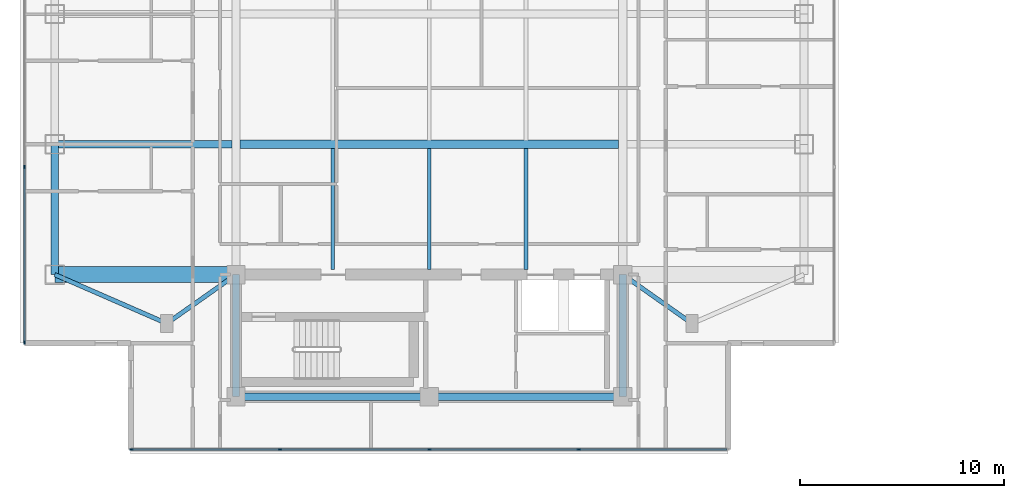
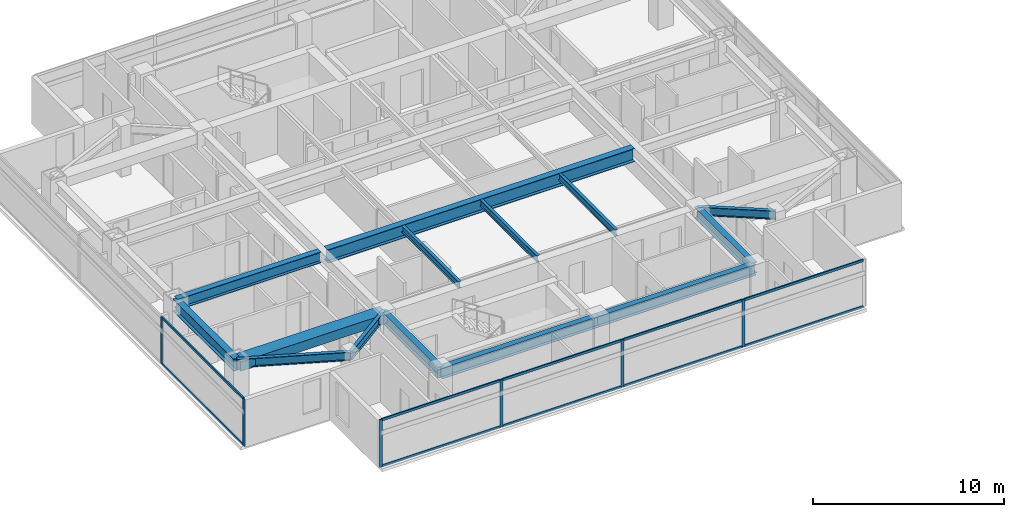
# One storey, part 2 of 24: 16 members, 14 beams, 2 elements without a shape of their own.
"""IFC4 building model written with IfcOpenShell, lengths in metres."""

from ifc_helpers import new_model, si_unit, direction, frame, origin, origin_2d, place, context, subcontext, project, spatial, rectangle, i_section, extrude, material, material_profile, profile_set, type_object, element, aggregate, save


model = new_model("IFC4")

# Units and contexts
model_context = context("Model", 3, precision=1e-05, world=origin(), true_north=direction((0.0, 1.0)))
body_context = subcontext(model_context, "Body", "Model", "MODEL_VIEW")
ifc_project = project(units=[si_unit("LENGTHUNIT", "METRE"), si_unit("AREAUNIT", "SQUARE_METRE"), si_unit("VOLUMEUNIT", "CUBIC_METRE"), si_unit("PLANEANGLEUNIT", "RADIAN"), si_unit("MASSUNIT", "GRAM", prefix="KILO")], contexts=[model_context])

# Site, building, storey
site_placement = place(None, origin())
site = spatial("IfcSite", under=ifc_project, at=site_placement, CompositionType="ELEMENT")
building_placement = place(site_placement, origin())
building = spatial("IfcBuilding", under=site, at=building_placement, Name="Mirazonda Arch Towers", CompositionType="ELEMENT")
storey_placement = place(building_placement, frame((0.0, 0.0, 190.14990234375)))
storey = spatial("IfcBuildingStorey", under=building, at=storey_placement, Name="L54", CompositionType="ELEMENT", Elevation=190.14990234375)

# Beams
ifc_material_1 = material(Name="Steel ASTM A992 Grade 50", Category="steel")
ifc_material_profile_1 = material_profile(ifc_material_1, i_section(OverallWidth=0.381103515625, OverallDepth=0.77294921875, WebThickness=0.0166015625, FlangeThickness=0.027099609375, at=origin_2d()), Name="W30X173")
ifc_profile_set_1 = profile_set([ifc_material_profile_1], Name="Steel ASTM A992 Grade 50")
beam_type_1 = type_object("IfcBeamType", Name="BM-EXT-W30X173", PredefinedType="USERDEFINED", material=ifc_profile_set_1)
beam_1_placement = place(storey_placement, frame((2.10009765625, 18.39990234375, 2.66357421875), z_axis=(0.0, 1.0, 0.0), x_axis=(-1.0, 0.0, 0.0)))
element("IfcBeam", 1, at=beam_1_placement, inside=storey, type_object=beam_type_1, Name="L54 Floor Beam BM-T1-L54-NS-W-18", ObjectType="GIRDER", PredefinedType="USERDEFINED", context=body_context, shape_type="SweptSolid", body=[
    extrude(i_section(OverallWidth=0.381103515625, OverallDepth=0.77294921875, WebThickness=0.0166015625, FlangeThickness=0.027099609375, at=origin_2d()), origin(), (0.0, 0.0, 1.0), 6.400146484375),
])
ifc_material_profile_2 = material_profile(ifc_material_1, i_section(OverallWidth=0.180908203125, OverallDepth=0.4169921875, WebThickness=0.010986328125, FlangeThickness=0.018310546875, at=origin_2d()), Name="W16X57")
ifc_profile_set_2 = profile_set([ifc_material_profile_2], Name="Steel ASTM A992 Grade 50")
beam_type_2 = type_object("IfcBeamType", Name="BM-INT-W16X57", PredefinedType="JOIST", material=ifc_profile_set_2)
for number, where, z_axis, x_axis, name in (
    (2, (15.75, 18.639892578125, 2.841552734375), (0.0, 1.0, 0.0), (-1.0, 0.0, 0.0), "L54 Floor Beam BM-T1-L54-J-157-18"),
    (3, (20.5, 18.639892578125, 2.841552734375), (0.0, 1.0, 0.0), (-1.0, 0.0, 0.0), "L54 Floor Beam BM-T1-L54-J-205-18"),
    (4, (25.25, 18.639892578125, 2.841552734375), (0.0, 1.0, 0.0), (-1.0, 0.0, 0.0), "L54 Floor Beam BM-T1-L54-J-252-18"),
):
    element("IfcBeam", number, at=place(storey_placement, frame(where, z_axis=z_axis, x_axis=x_axis)), inside=storey, type_object=beam_type_2, Name=name, PredefinedType="JOIST", context=body_context, shape_type="SweptSolid", body=[
        extrude(i_section(OverallWidth=0.180908203125, OverallDepth=0.4169921875, WebThickness=0.010986328125, FlangeThickness=0.018310546875, at=origin_2d()), origin(), (0.0, 0.0, 1.0), 5.964111328125),
    ])
ifc_material_profile_3 = material_profile(ifc_material_1, i_section(OverallWidth=0.214111328125, OverallDepth=0.549072265625, WebThickness=0.0146484375, FlangeThickness=0.023681640625, at=origin_2d()), Name="W21X93")
ifc_profile_set_3 = profile_set([ifc_material_profile_3], Name="Steel ASTM A992 Grade 50")
beam_type_3 = type_object("IfcBeamType", Name="BM-INT-W21X93", PredefinedType="BEAM", material=ifc_profile_set_3)
beam_2_placement = place(storey_placement, frame((7.60009765625, 16.0, 2.775634765625), z_axis=(0.816971114901, 0.576678591087, 0.0), x_axis=(-0.576678591087, 0.816971114901, 0.0)))
element("IfcBeam", 5, at=beam_2_placement, inside=storey, type_object=beam_type_3, Name="L54 Floor Beam BM-T1-L54-PL-SW1", PredefinedType="BEAM", context=body_context, shape_type="SweptSolid", body=[
    extrude(i_section(OverallWidth=0.214111328125, OverallDepth=0.549072265625, WebThickness=0.0146484375, FlangeThickness=0.023681640625, at=origin_2d()), origin(), (0.0, 0.0, 1.0), 4.16162109375),
])
beam_3_placement = place(storey_placement, frame((7.60009765625, 16.0, 2.775634765625), z_axis=(-0.916545343703, 0.399930785183, 0.0), x_axis=(-0.399930785183, -0.916545343703, 0.0)))
element("IfcBeam", 6, at=beam_3_placement, inside=storey, type_object=beam_type_3, Name="L54 Floor Beam BM-T1-L54-PL-SW2", PredefinedType="BEAM", context=body_context, shape_type="SweptSolid", body=[
    extrude(i_section(OverallWidth=0.214111328125, OverallDepth=0.549072265625, WebThickness=0.0146484375, FlangeThickness=0.023681640625, at=origin_2d()), origin(), (0.0, 0.0, 1.0), 6.000732421875),
])
beam_4_placement = place(storey_placement, frame((33.39990234375, 16.0, 2.775634765625), z_axis=(-0.816971114901, 0.576678591087, 0.0), x_axis=(-0.576678591087, -0.816971114901, 0.0)))
element("IfcBeam", 7, at=beam_4_placement, inside=storey, type_object=beam_type_3, Name="L54 Floor Beam BM-T1-L54-PL-SE1", PredefinedType="BEAM", context=body_context, shape_type="SweptSolid", body=[
    extrude(i_section(OverallWidth=0.214111328125, OverallDepth=0.549072265625, WebThickness=0.0146484375, FlangeThickness=0.023681640625, at=origin_2d()), origin(), (0.0, 0.0, 1.0), 4.16162109375),
])
ifc_material_profile_4 = material_profile(ifc_material_1, i_section(OverallWidth=0.35498046875, OverallDepth=0.696044921875, WebThickness=0.015380859375, FlangeThickness=0.02490234375, at=origin_2d()), Name="W27X146")
ifc_profile_set_4 = profile_set([ifc_material_profile_4], Name="Steel ASTM A992 Grade 50")
beam_type_4 = type_object("IfcBeamType", Name="BM-INT-W27X146", PredefinedType="BEAM", material=ifc_profile_set_4)
beam_5_placement = place(storey_placement, frame((2.10009765625, 24.800048828125, 2.7021484375), z_axis=(1.0, 0.0, 0.0), x_axis=(0.0, 1.0, 0.0)))
element("IfcBeam", 8, at=beam_5_placement, inside=storey, type_object=beam_type_4, Name="L54 Floor Beam BM-T1-L54-GW2", PredefinedType="BEAM", context=body_context, shape_type="SweptSolid", body=[
    extrude(i_section(OverallWidth=0.35498046875, OverallDepth=0.696044921875, WebThickness=0.015380859375, FlangeThickness=0.02490234375, at=origin_2d()), origin(), (0.0, 0.0, 1.0), 8.699951171875),
])
for number, where, z_axis, x_axis, name in (
    (9, (11.0, 12.39990234375, 2.7021484375), (1.0, 0.0, 0.0), (0.0, 1.0, 0.0), "L54 Floor Beam BM-T1-L54-CS1"),
    (10, (20.5, 12.39990234375, 2.7021484375), (1.0, 0.0, 0.0), (0.0, 1.0, 0.0), "L54 Floor Beam BM-T1-L54-CS2"),
):
    element("IfcBeam", number, at=place(storey_placement, frame(where, z_axis=z_axis, x_axis=x_axis)), inside=storey, type_object=beam_type_4, Name=name, PredefinedType="BEAM", context=body_context, shape_type="SweptSolid", body=[
        extrude(i_section(OverallWidth=0.35498046875, OverallDepth=0.696044921875, WebThickness=0.015380859375, FlangeThickness=0.02490234375, at=origin_2d()), origin(), (0.0, 0.0, 1.0), 9.5),
    ])
for number, where, z_axis, x_axis, name in (
    (11, (11.0, 12.39990234375, 2.7021484375), (0.0, 1.0, 0.0), (-1.0, 0.0, 0.0), "L54 Floor Beam BM-T1-L54-CSW"),
    (12, (30.0, 12.39990234375, 2.7021484375), (0.0, 1.0, 0.0), (-1.0, 0.0, 0.0), "L54 Floor Beam BM-T1-L54-CSE"),
):
    element("IfcBeam", number, at=place(storey_placement, frame(where, z_axis=z_axis, x_axis=x_axis)), inside=storey, type_object=beam_type_4, Name=name, PredefinedType="BEAM", context=body_context, shape_type="SweptSolid", body=[
        extrude(i_section(OverallWidth=0.35498046875, OverallDepth=0.696044921875, WebThickness=0.015380859375, FlangeThickness=0.02490234375, at=origin_2d()), origin(), (0.0, 0.0, 1.0), 6.0),
    ])
ifc_material_profile_5 = material_profile(ifc_material_1, i_section(OverallWidth=0.39990234375, OverallDepth=0.85595703125, WebThickness=0.018310546875, FlangeThickness=0.029296875, at=origin_2d()), Name="W33X201")
ifc_profile_set_5 = profile_set([ifc_material_profile_5], Name="Steel ASTM A992 Grade 50")
beam_type_5 = type_object("IfcBeamType", Name="BM-INT-W33X201", PredefinedType="USERDEFINED", material=ifc_profile_set_5)
beam_6_placement = place(storey_placement, frame((11.199951171875, 24.800048828125, 2.6220703125), z_axis=(1.0, 0.0, 0.0), x_axis=(0.0, 1.0, 0.0)))
element("IfcBeam", 13, at=beam_6_placement, inside=storey, type_object=beam_type_5, Name="L54 Floor Beam BM-T1-L54-GC2", ObjectType="GIRDER", PredefinedType="USERDEFINED", context=body_context, shape_type="SweptSolid", body=[
    extrude(i_section(OverallWidth=0.39990234375, OverallDepth=0.85595703125, WebThickness=0.018310546875, FlangeThickness=0.029296875, at=origin_2d()), origin(), (0.0, 0.0, 1.0), 18.60009765625),
])
ifc_material_2 = material(Name="Concrete C60/75", Category="concrete")
ifc_material_profile_6 = material_profile(ifc_material_2, rectangle(XDim=0.800048828125, YDim=0.60009765625, at=origin_2d()), Name="RCCB800x600")
ifc_profile_set_6 = profile_set([ifc_material_profile_6], Name="Concrete C60/75")
beam_type_6 = type_object("IfcBeamType", Name="CB-INT-RCCB800x600", PredefinedType="SPANDREL", material=ifc_profile_set_6)
beam_7_placement = place(storey_placement, frame((2.10009765625, 18.39990234375, 2.75), z_axis=(1.0, 0.0, 0.0), x_axis=(0.0, 1.0, 0.0)))
element("IfcBeam", 14, at=beam_7_placement, inside=storey, type_object=beam_type_6, Name="L54 Floor Beam CBC-T1-L54-SW", PredefinedType="SPANDREL", context=body_context, shape_type="SweptSolid", body=[
    extrude(rectangle(XDim=0.800048828125, YDim=0.60009765625, at=origin_2d()), origin(), (0.0, 0.0, 1.0), 8.89990234375),
])

# Curtain wall, members
ifc_material_3 = material(Name="Anodised Aluminium and Low-E Glass", Category="aluminium")
curtain_wall_type = type_object("IfcCurtainWallType", Name="CW-RES-UNIT", PredefinedType="NOTDEFINED", material=ifc_material_3)
curtain_wall_1_placement = place(storey_placement, origin())
curtain_wall_1 = element("IfcCurtainWall", 15, at=curtain_wall_1_placement, inside=storey, type_object=curtain_wall_type, Name="L54 T1 S Facade CW-L54-T1-S", PredefinedType="NOTDEFINED")
ifc_material_4 = material(Name="Anodised Aluminium Alloy", Category="aluminium")
ifc_material_profile_7 = material_profile(ifc_material_4, rectangle(XDim=0.074951171875, YDim=0.175048828125, at=origin_2d()), Name="ALU-MULL-75x175")
ifc_profile_set_7 = profile_set([ifc_material_profile_7], Name="Anodised Aluminium Alloy")
member_type_1 = type_object("IfcMemberType", Name="MULL-CW-RES-UNIT", PredefinedType="MULLION", material=ifc_profile_set_7)
member_1_placement = place(storey_placement, frame((27.83740234375, 9.81396484375, 0.0), z_axis=(0.0, 0.0, 1.0), x_axis=(0.0, -1.0, 0.0)))
member_1 = element("IfcMember", 16, at=member_1_placement, type_object=member_type_1, Name="CW-104 mullion 2", PredefinedType="MULLION", context=body_context, shape_type="SweptSolid", body=[
    extrude(rectangle(XDim=0.074951171875, YDim=0.175048828125, at=origin_2d()), origin(), (0.0, 0.0, 1.0), 3.030029296875),
])
member_2_placement = place(storey_placement, frame((20.5, 9.81396484375, 0.0), z_axis=(0.0, 0.0, 1.0), x_axis=(0.0, -1.0, 0.0)))
member_2 = element("IfcMember", 17, at=member_2_placement, type_object=member_type_1, Name="CW-104 mullion 3", PredefinedType="MULLION", context=body_context, shape_type="SweptSolid", body=[
    extrude(rectangle(XDim=0.074951171875, YDim=0.175048828125, at=origin_2d()), origin(), (0.0, 0.0, 1.0), 3.030029296875),
])
member_3_placement = place(storey_placement, frame((13.16259765625, 9.81396484375, 0.0), z_axis=(0.0, 0.0, 1.0), x_axis=(0.0, -1.0, 0.0)))
member_3 = element("IfcMember", 18, at=member_3_placement, type_object=member_type_1, Name="CW-104 mullion 4", PredefinedType="MULLION", context=body_context, shape_type="SweptSolid", body=[
    extrude(rectangle(XDim=0.074951171875, YDim=0.175048828125, at=origin_2d()), origin(), (0.0, 0.0, 1.0), 3.030029296875),
])
member_4_placement = place(storey_placement, frame((5.862548828125, 9.81396484375, 0.0), z_axis=(0.0, 0.0, 1.0), x_axis=(0.0, -1.0, 0.0)))
member_4 = element("IfcMember", 19, at=member_4_placement, type_object=member_type_1, Name="CW-104 mullion 5", PredefinedType="MULLION", context=body_context, shape_type="SweptSolid", body=[
    extrude(rectangle(XDim=0.074951171875, YDim=0.175048828125, at=origin_2d()), origin(), (0.0, 0.0, 1.0), 3.030029296875),
])

curtain_wall_2_placement = place(storey_placement, origin())
curtain_wall_2 = element("IfcCurtainWall", 20, at=curtain_wall_2_placement, inside=storey, type_object=curtain_wall_type, Name="L54 T1 W Facade CW-L54-T1-W", PredefinedType="NOTDEFINED")
member_5_placement = place(storey_placement, frame((0.610107421875, 23.67626953125, 0.0), z_axis=(0.0, 0.0, 1.0), x_axis=(1.0, 0.0, 0.0)))
member_5 = element("IfcMember", 21, at=member_5_placement, type_object=member_type_1, Name="CW-104 mullion 3", PredefinedType="MULLION", context=body_context, shape_type="SweptSolid", body=[
    extrude(rectangle(XDim=0.074951171875, YDim=0.175048828125, at=origin_2d()), origin(), (0.0, 0.0, 1.0), 3.030029296875),
])
member_6_placement = place(storey_placement, frame((0.610107421875, 15.06640625, 0.0), z_axis=(0.0, 0.0, 1.0), x_axis=(1.0, 0.0, 0.0)))
member_6 = element("IfcMember", 22, at=member_6_placement, type_object=member_type_1, Name="CW-104 mullion 4", PredefinedType="MULLION", context=body_context, shape_type="SweptSolid", body=[
    extrude(rectangle(XDim=0.074951171875, YDim=0.175048828125, at=origin_2d()), origin(), (0.0, 0.0, 1.0), 3.030029296875),
])

# Member
ifc_material_profile_8 = material_profile(ifc_material_4, rectangle(XDim=0.074951171875, YDim=0.155029296875, at=origin_2d()), Name="ALU-TRAN-75x155")
ifc_profile_set_8 = profile_set([ifc_material_profile_8], Name="Anodised Aluminium Alloy")
member_type_2 = type_object("IfcMemberType", Name="TRAN-CW-RES-UNIT", PredefinedType="USERDEFINED", material=ifc_profile_set_8)
member_7_placement = place(storey_placement, frame((35.10009765625, 9.81396484375, 0.03759765625), z_axis=(-1.0, 0.0, 0.0), x_axis=(0.0, -1.0, 0.0)))
member_7 = element("IfcMember", 23, at=member_7_placement, type_object=member_type_2, Name="CW-104 transom 1.1", ObjectType="TRANSOM", PredefinedType="USERDEFINED", context=body_context, shape_type="SweptSolid", body=[
    extrude(rectangle(XDim=0.074951171875, YDim=0.155029296875, at=origin_2d()), origin(), (0.0, 0.0, 1.0), 7.22509765625),
])

member_8_placement = place(storey_placement, frame((35.10009765625, 9.81396484375, 2.99267578125), z_axis=(-1.0, 0.0, 0.0), x_axis=(0.0, -1.0, 0.0)))
member_8 = element("IfcMember", 24, at=member_8_placement, type_object=member_type_2, Name="CW-104 transom 1.2", ObjectType="TRANSOM", PredefinedType="USERDEFINED", context=body_context, shape_type="SweptSolid", body=[
    extrude(rectangle(XDim=0.074951171875, YDim=0.155029296875, at=origin_2d()), origin(), (0.0, 0.0, 1.0), 7.22509765625),
])

member_9_placement = place(storey_placement, frame((27.800048828125, 9.81396484375, 0.03759765625), z_axis=(-1.0, 0.0, 0.0), x_axis=(0.0, -1.0, 0.0)))
member_9 = element("IfcMember", 25, at=member_9_placement, type_object=member_type_2, Name="CW-104 transom 2.1", ObjectType="TRANSOM", PredefinedType="USERDEFINED", context=body_context, shape_type="SweptSolid", body=[
    extrude(rectangle(XDim=0.074951171875, YDim=0.155029296875, at=origin_2d()), origin(), (0.0, 0.0, 1.0), 7.262451171875),
])

member_10_placement = place(storey_placement, frame((27.800048828125, 9.81396484375, 2.99267578125), z_axis=(-1.0, 0.0, 0.0), x_axis=(0.0, -1.0, 0.0)))
member_10 = element("IfcMember", 26, at=member_10_placement, type_object=member_type_2, Name="CW-104 transom 2.2", ObjectType="TRANSOM", PredefinedType="USERDEFINED", context=body_context, shape_type="SweptSolid", body=[
    extrude(rectangle(XDim=0.074951171875, YDim=0.155029296875, at=origin_2d()), origin(), (0.0, 0.0, 1.0), 7.262451171875),
])

member_11_placement = place(storey_placement, frame((20.46240234375, 9.81396484375, 0.03759765625), z_axis=(-1.0, 0.0, 0.0), x_axis=(0.0, -1.0, 0.0)))
member_11 = element("IfcMember", 27, at=member_11_placement, type_object=member_type_2, Name="CW-104 transom 3.1", ObjectType="TRANSOM", PredefinedType="USERDEFINED", context=body_context, shape_type="SweptSolid", body=[
    extrude(rectangle(XDim=0.074951171875, YDim=0.155029296875, at=origin_2d()), origin(), (0.0, 0.0, 1.0), 7.262451171875),
])

member_12_placement = place(storey_placement, frame((20.46240234375, 9.81396484375, 2.99267578125), z_axis=(-1.0, 0.0, 0.0), x_axis=(0.0, -1.0, 0.0)))
member_12 = element("IfcMember", 28, at=member_12_placement, type_object=member_type_2, Name="CW-104 transom 3.2", ObjectType="TRANSOM", PredefinedType="USERDEFINED", context=body_context, shape_type="SweptSolid", body=[
    extrude(rectangle(XDim=0.074951171875, YDim=0.155029296875, at=origin_2d()), origin(), (0.0, 0.0, 1.0), 7.262451171875),
])

member_13_placement = place(storey_placement, frame((13.125, 9.81396484375, 0.03759765625), z_axis=(-1.0, 0.0, 0.0), x_axis=(0.0, -1.0, 0.0)))
member_13 = element("IfcMember", 29, at=member_13_placement, type_object=member_type_2, Name="CW-104 transom 4.1", ObjectType="TRANSOM", PredefinedType="USERDEFINED", context=body_context, shape_type="SweptSolid", body=[
    extrude(rectangle(XDim=0.074951171875, YDim=0.155029296875, at=origin_2d()), origin(), (0.0, 0.0, 1.0), 7.22509765625),
])

member_14_placement = place(storey_placement, frame((13.125, 9.81396484375, 2.99267578125), z_axis=(-1.0, 0.0, 0.0), x_axis=(0.0, -1.0, 0.0)))
member_14 = element("IfcMember", 30, at=member_14_placement, type_object=member_type_2, Name="CW-104 transom 4.2", ObjectType="TRANSOM", PredefinedType="USERDEFINED", context=body_context, shape_type="SweptSolid", body=[
    extrude(rectangle(XDim=0.074951171875, YDim=0.155029296875, at=origin_2d()), origin(), (0.0, 0.0, 1.0), 7.22509765625),
])

aggregate(curtain_wall_1, [member_1, member_2, member_3, member_4, member_7, member_8, member_9, member_10, member_11, member_12, member_13, member_14])

member_15_placement = place(storey_placement, frame((0.610107421875, 23.638916015625, 0.03759765625), z_axis=(0.0, -1.0, 0.0), x_axis=(1.0, 0.0, 0.0)))
member_15 = element("IfcMember", 31, at=member_15_placement, type_object=member_type_2, Name="CW-104 transom 3.1", ObjectType="TRANSOM", PredefinedType="USERDEFINED", context=body_context, shape_type="SweptSolid", body=[
    extrude(rectangle(XDim=0.074951171875, YDim=0.155029296875, at=origin_2d()), origin(), (0.0, 0.0, 1.0), 8.534912109375),
])

member_16_placement = place(storey_placement, frame((0.610107421875, 23.638916015625, 2.99267578125), z_axis=(0.0, -1.0, 0.0), x_axis=(1.0, 0.0, 0.0)))
member_16 = element("IfcMember", 32, at=member_16_placement, type_object=member_type_2, Name="CW-104 transom 3.2", ObjectType="TRANSOM", PredefinedType="USERDEFINED", context=body_context, shape_type="SweptSolid", body=[
    extrude(rectangle(XDim=0.074951171875, YDim=0.155029296875, at=origin_2d()), origin(), (0.0, 0.0, 1.0), 8.534912109375),
])

aggregate(curtain_wall_2, [member_5, member_6, member_15, member_16])

save(model, "model.ifc")
